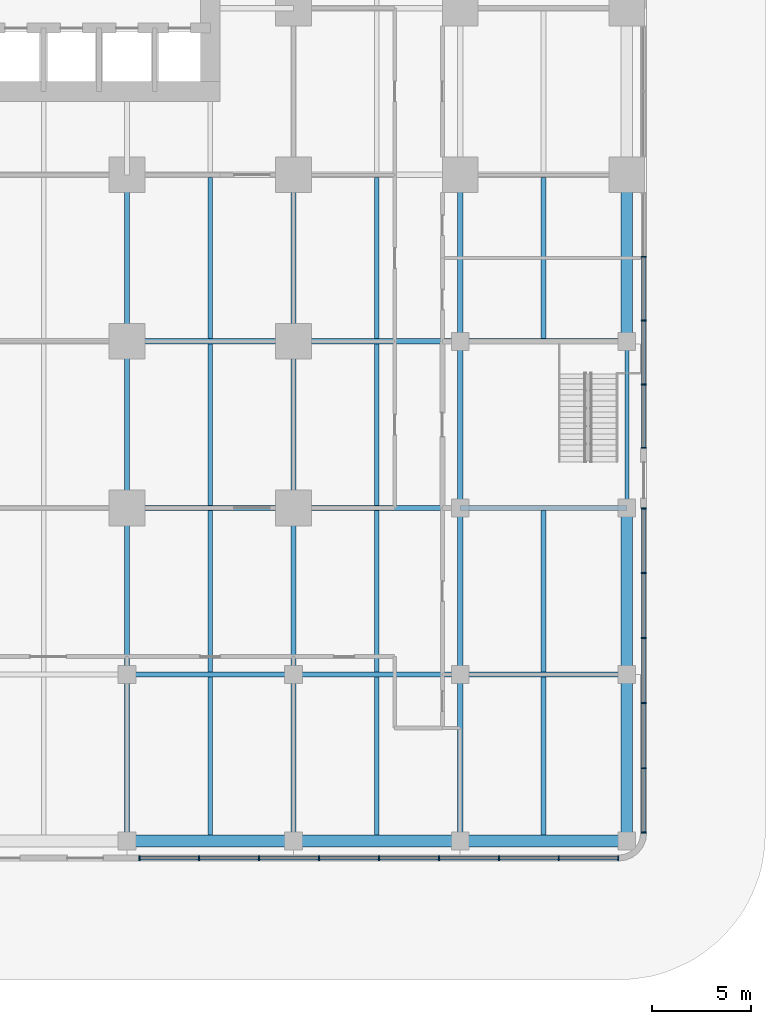
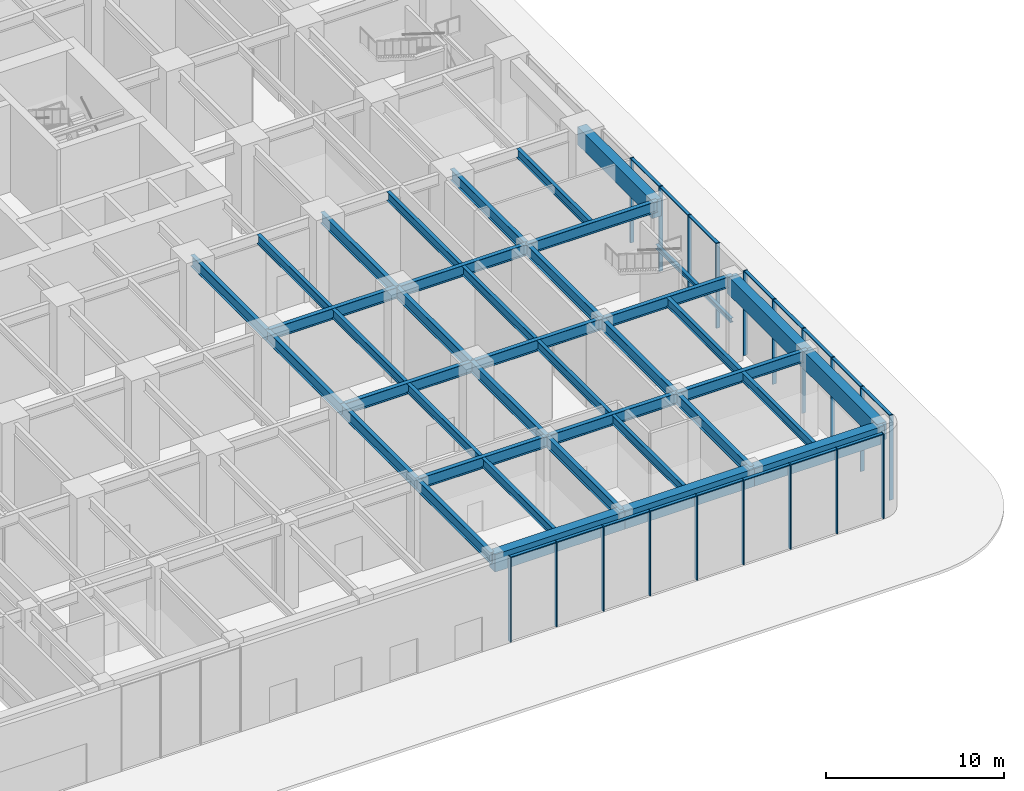
# One storey, part 4 of 21: 39 beams, 35 members, 3 elements without a shape of their own.
"""IFC4 building model written with IfcOpenShell, lengths in metres."""

from ifc_helpers import new_model, si_unit, direction, frame, origin, origin_2d, place, context, subcontext, project, spatial, rectangle, i_section, extrude, material, material_profile, profile_set, type_object, element, aggregate, save


model = new_model("IFC4")

# Units and contexts
model_context = context("Model", 3, precision=1e-05, world=origin(), true_north=direction((0.0, 1.0)))
body_context = subcontext(model_context, "Body", "Model", "MODEL_VIEW")
ifc_project = project(units=[si_unit("LENGTHUNIT", "METRE"), si_unit("AREAUNIT", "SQUARE_METRE"), si_unit("VOLUMEUNIT", "CUBIC_METRE"), si_unit("PLANEANGLEUNIT", "RADIAN"), si_unit("MASSUNIT", "GRAM", prefix="KILO")], contexts=[model_context])

# Site, building, storey
site_placement = place(None, origin())
site = spatial("IfcSite", under=ifc_project, at=site_placement, CompositionType="ELEMENT")
building_placement = place(site_placement, origin())
building = spatial("IfcBuilding", under=site, at=building_placement, Name="Torre Alcanfor", CompositionType="ELEMENT")
storey_placement = place(building_placement, origin())
storey = spatial("IfcBuildingStorey", under=building, at=storey_placement, Name="L00", CompositionType="ELEMENT", Elevation=0.0)

# Curtain wall, members
ifc_material_1 = material(Name="Aluminium and glass", Category="aluminium")
curtain_wall_type = type_object("IfcCurtainWallType", Name="CW-C ground floor storefront glazing", PredefinedType="NOTDEFINED", material=ifc_material_1)
curtain_wall_1_placement = place(storey_placement, origin())
curtain_wall_1 = element("IfcCurtainWall", 1, at=curtain_wall_1_placement, inside=storey, type_object=curtain_wall_type, Name="Curtain wall CW-C L00 E 1", PredefinedType="NOTDEFINED")
ifc_material_2 = material(Name="Extruded aluminium", Category="aluminium")
ifc_material_profile_1 = material_profile(ifc_material_2, rectangle(XDim=0.25, YDim=0.06494140625, at=origin_2d()), Name="CW-C mullion 65x250")
ifc_profile_set_1 = profile_set([ifc_material_profile_1], Name="Extruded aluminium")
member_type_1 = type_object("IfcMemberType", Name="CW-C mullion 65x250", PredefinedType="MULLION", material=ifc_profile_set_1)
member_1_placement = place(storey_placement, frame((59.64990234375, -16.367431640625, 0.0), z_axis=(0.0, 0.0, 1.0), x_axis=(-1.0, 0.0, 0.0)))
member_1 = element("IfcMember", 2, at=member_1_placement, type_object=member_type_1, Name="CW-C mullion 1", PredefinedType="MULLION", context=body_context, shape_type="SweptSolid", body=[
    extrude(rectangle(XDim=0.25, YDim=0.06494140625, at=origin_2d()), origin(), (0.0, 0.0, 1.0), 5.800048828125),
])
member_2_placement = place(storey_placement, frame((59.64990234375, -13.1201171875, 0.0), z_axis=(0.0, 0.0, 1.0), x_axis=(-1.0, 0.0, 0.0)))
member_2 = element("IfcMember", 3, at=member_2_placement, type_object=member_type_1, Name="CW-C mullion 2", PredefinedType="MULLION", context=body_context, shape_type="SweptSolid", body=[
    extrude(rectangle(XDim=0.25, YDim=0.06494140625, at=origin_2d()), origin(), (0.0, 0.0, 1.0), 5.800048828125),
])
member_3_placement = place(storey_placement, frame((59.64990234375, -9.840087890625, 0.0), z_axis=(0.0, 0.0, 1.0), x_axis=(-1.0, 0.0, 0.0)))
member_3 = element("IfcMember", 4, at=member_3_placement, type_object=member_type_1, Name="CW-C mullion 3", PredefinedType="MULLION", context=body_context, shape_type="SweptSolid", body=[
    extrude(rectangle(XDim=0.25, YDim=0.06494140625, at=origin_2d()), origin(), (0.0, 0.0, 1.0), 5.800048828125),
])
member_4_placement = place(storey_placement, frame((59.64990234375, -6.56005859375, 0.0), z_axis=(0.0, 0.0, 1.0), x_axis=(-1.0, 0.0, 0.0)))
member_4 = element("IfcMember", 5, at=member_4_placement, type_object=member_type_1, Name="CW-C mullion 4", PredefinedType="MULLION", context=body_context, shape_type="SweptSolid", body=[
    extrude(rectangle(XDim=0.25, YDim=0.06494140625, at=origin_2d()), origin(), (0.0, 0.0, 1.0), 5.800048828125),
])
member_5_placement = place(storey_placement, frame((59.64990234375, -3.280029296875, 0.0), z_axis=(0.0, 0.0, 1.0), x_axis=(-1.0, 0.0, 0.0)))
member_5 = element("IfcMember", 6, at=member_5_placement, type_object=member_type_1, Name="CW-C mullion 5", PredefinedType="MULLION", context=body_context, shape_type="SweptSolid", body=[
    extrude(rectangle(XDim=0.25, YDim=0.06494140625, at=origin_2d()), origin(), (0.0, 0.0, 1.0), 5.800048828125),
])
member_6_placement = place(storey_placement, frame((59.64990234375, -0.032470703125, 0.0), z_axis=(0.0, 0.0, 1.0), x_axis=(-1.0, 0.0, 0.0)))
member_6 = element("IfcMember", 7, at=member_6_placement, type_object=member_type_1, Name="CW-C mullion 6", PredefinedType="MULLION", context=body_context, shape_type="SweptSolid", body=[
    extrude(rectangle(XDim=0.25, YDim=0.06494140625, at=origin_2d()), origin(), (0.0, 0.0, 1.0), 5.800048828125),
])

curtain_wall_2_placement = place(storey_placement, origin())
curtain_wall_2 = element("IfcCurtainWall", 8, at=curtain_wall_2_placement, inside=storey, type_object=curtain_wall_type, Name="Curtain wall CW-C L00 E 3", PredefinedType="NOTDEFINED")
member_7_placement = place(storey_placement, frame((59.64990234375, 3.032470703125, 0.0), z_axis=(0.0, 0.0, 1.0), x_axis=(-1.0, 0.0, 0.0)))
member_7 = element("IfcMember", 9, at=member_7_placement, type_object=member_type_1, Name="CW-C mullion 1.1", PredefinedType="MULLION", context=body_context, shape_type="SweptSolid", body=[
    extrude(rectangle(XDim=0.25, YDim=0.06494140625, at=origin_2d()), origin(), (0.0, 0.0, 1.0), 5.800048828125),
])
member_8_placement = place(storey_placement, frame((59.64990234375, 6.2236328125, 0.0), z_axis=(0.0, 0.0, 1.0), x_axis=(-1.0, 0.0, 0.0)))
member_8 = element("IfcMember", 10, at=member_8_placement, type_object=member_type_1, Name="CW-C mullion 1.2", PredefinedType="MULLION", context=body_context, shape_type="SweptSolid", body=[
    extrude(rectangle(XDim=0.25, YDim=0.06494140625, at=origin_2d()), origin(), (0.0, 0.0, 1.0), 5.800048828125),
])
member_9_placement = place(storey_placement, frame((59.64990234375, 9.447509765625, 0.0), z_axis=(0.0, 0.0, 1.0), x_axis=(-1.0, 0.0, 0.0)))
member_9 = element("IfcMember", 11, at=member_9_placement, type_object=member_type_1, Name="CW-C mullion 1.3", PredefinedType="MULLION", context=body_context, shape_type="SweptSolid", body=[
    extrude(rectangle(XDim=0.25, YDim=0.06494140625, at=origin_2d()), origin(), (0.0, 0.0, 1.0), 5.800048828125),
])
member_10_placement = place(storey_placement, frame((59.64990234375, 12.671142578125, 0.0), z_axis=(0.0, 0.0, 1.0), x_axis=(-1.0, 0.0, 0.0)))
member_10 = element("IfcMember", 12, at=member_10_placement, type_object=member_type_1, Name="CW-C mullion 1.4", PredefinedType="MULLION", context=body_context, shape_type="SweptSolid", body=[
    extrude(rectangle(XDim=0.25, YDim=0.06494140625, at=origin_2d()), origin(), (0.0, 0.0, 1.0), 5.800048828125),
])

curtain_wall_3_placement = place(storey_placement, origin())
curtain_wall_3 = element("IfcCurtainWall", 13, at=curtain_wall_3_placement, inside=storey, type_object=curtain_wall_type, Name="Curtain wall CW-C L00 S 4", PredefinedType="NOTDEFINED")
member_11_placement = place(storey_placement, frame((34.232421875, -17.64990234375, 0.0), z_axis=(0.0, 0.0, 1.0), x_axis=(0.0, 1.0, 0.0)))
member_11 = element("IfcMember", 14, at=member_11_placement, type_object=member_type_1, Name="CW-C mullion 1", PredefinedType="MULLION", context=body_context, shape_type="SweptSolid", body=[
    extrude(rectangle(XDim=0.25, YDim=0.06494140625, at=origin_2d()), origin(), (0.0, 0.0, 1.0), 5.800048828125),
])
member_12_placement = place(storey_placement, frame((37.22509765625, -17.64990234375, 0.0), z_axis=(0.0, 0.0, 1.0), x_axis=(0.0, 1.0, 0.0)))
member_12 = element("IfcMember", 15, at=member_12_placement, type_object=member_type_1, Name="CW-C mullion 2", PredefinedType="MULLION", context=body_context, shape_type="SweptSolid", body=[
    extrude(rectangle(XDim=0.25, YDim=0.06494140625, at=origin_2d()), origin(), (0.0, 0.0, 1.0), 5.800048828125),
])
member_13_placement = place(storey_placement, frame((40.25, -17.64990234375, 0.0), z_axis=(0.0, 0.0, 1.0), x_axis=(0.0, 1.0, 0.0)))
member_13 = element("IfcMember", 16, at=member_13_placement, type_object=member_type_1, Name="CW-C mullion 3", PredefinedType="MULLION", context=body_context, shape_type="SweptSolid", body=[
    extrude(rectangle(XDim=0.25, YDim=0.06494140625, at=origin_2d()), origin(), (0.0, 0.0, 1.0), 5.800048828125),
])
member_14_placement = place(storey_placement, frame((43.27490234375, -17.64990234375, 0.0), z_axis=(0.0, 0.0, 1.0), x_axis=(0.0, 1.0, 0.0)))
member_14 = element("IfcMember", 17, at=member_14_placement, type_object=member_type_1, Name="CW-C mullion 4", PredefinedType="MULLION", context=body_context, shape_type="SweptSolid", body=[
    extrude(rectangle(XDim=0.25, YDim=0.06494140625, at=origin_2d()), origin(), (0.0, 0.0, 1.0), 5.800048828125),
])
member_15_placement = place(storey_placement, frame((46.300048828125, -17.64990234375, 0.0), z_axis=(0.0, 0.0, 1.0), x_axis=(0.0, 1.0, 0.0)))
member_15 = element("IfcMember", 18, at=member_15_placement, type_object=member_type_1, Name="CW-C mullion 5", PredefinedType="MULLION", context=body_context, shape_type="SweptSolid", body=[
    extrude(rectangle(XDim=0.25, YDim=0.06494140625, at=origin_2d()), origin(), (0.0, 0.0, 1.0), 5.800048828125),
])
member_16_placement = place(storey_placement, frame((49.324951171875, -17.64990234375, 0.0), z_axis=(0.0, 0.0, 1.0), x_axis=(0.0, 1.0, 0.0)))
member_16 = element("IfcMember", 19, at=member_16_placement, type_object=member_type_1, Name="CW-C mullion 6", PredefinedType="MULLION", context=body_context, shape_type="SweptSolid", body=[
    extrude(rectangle(XDim=0.25, YDim=0.06494140625, at=origin_2d()), origin(), (0.0, 0.0, 1.0), 5.800048828125),
])
member_17_placement = place(storey_placement, frame((52.35009765625, -17.64990234375, 0.0), z_axis=(0.0, 0.0, 1.0), x_axis=(0.0, 1.0, 0.0)))
member_17 = element("IfcMember", 20, at=member_17_placement, type_object=member_type_1, Name="CW-C mullion 7", PredefinedType="MULLION", context=body_context, shape_type="SweptSolid", body=[
    extrude(rectangle(XDim=0.25, YDim=0.06494140625, at=origin_2d()), origin(), (0.0, 0.0, 1.0), 5.800048828125),
])
member_18_placement = place(storey_placement, frame((55.375, -17.64990234375, 0.0), z_axis=(0.0, 0.0, 1.0), x_axis=(0.0, 1.0, 0.0)))
member_18 = element("IfcMember", 21, at=member_18_placement, type_object=member_type_1, Name="CW-C mullion 8", PredefinedType="MULLION", context=body_context, shape_type="SweptSolid", body=[
    extrude(rectangle(XDim=0.25, YDim=0.06494140625, at=origin_2d()), origin(), (0.0, 0.0, 1.0), 5.800048828125),
])
member_19_placement = place(storey_placement, frame((58.367431640625, -17.64990234375, 0.0), z_axis=(0.0, 0.0, 1.0), x_axis=(0.0, 1.0, 0.0)))
member_19 = element("IfcMember", 22, at=member_19_placement, type_object=member_type_1, Name="CW-C mullion 9", PredefinedType="MULLION", context=body_context, shape_type="SweptSolid", body=[
    extrude(rectangle(XDim=0.25, YDim=0.06494140625, at=origin_2d()), origin(), (0.0, 0.0, 1.0), 5.800048828125),
])

# Member
ifc_material_3 = material(Name="Extruded aluminium", Category="aluminium")
ifc_material_profile_2 = material_profile(ifc_material_3, rectangle(XDim=0.199951171875, YDim=0.06494140625, at=origin_2d()), Name="CW-C transom 200x65")
ifc_profile_set_2 = profile_set([ifc_material_profile_2], Name="Extruded aluminium")
member_type_2 = type_object("IfcMemberType", Name="CW-C transom 65x200", PredefinedType="USERDEFINED", material=ifc_profile_set_2)
member_20_placement = place(storey_placement, frame((59.64990234375, -16.3349609375, 5.767578125), z_axis=(0.0, 1.0, 0.0), x_axis=(-1.0, 0.0, 0.0)))
member_20 = element("IfcMember", 23, at=member_20_placement, type_object=member_type_2, Name="CW-C transom 1.2", ObjectType="TRANSOM", PredefinedType="USERDEFINED", context=body_context, shape_type="SweptSolid", body=[
    extrude(rectangle(XDim=0.199951171875, YDim=0.06494140625, at=origin_2d()), origin(), (0.0, 0.0, 1.0), 3.182373046875),
])

member_21_placement = place(storey_placement, frame((59.64990234375, -13.08740234375, 5.767578125), z_axis=(0.0, 1.0, 0.0), x_axis=(-1.0, 0.0, 0.0)))
member_21 = element("IfcMember", 24, at=member_21_placement, type_object=member_type_2, Name="CW-C transom 2.2", ObjectType="TRANSOM", PredefinedType="USERDEFINED", context=body_context, shape_type="SweptSolid", body=[
    extrude(rectangle(XDim=0.199951171875, YDim=0.06494140625, at=origin_2d()), origin(), (0.0, 0.0, 1.0), 3.21484375),
])

member_22_placement = place(storey_placement, frame((59.64990234375, -9.8076171875, 5.767578125), z_axis=(0.0, 1.0, 0.0), x_axis=(-1.0, 0.0, 0.0)))
member_22 = element("IfcMember", 25, at=member_22_placement, type_object=member_type_2, Name="CW-C transom 3.2", ObjectType="TRANSOM", PredefinedType="USERDEFINED", context=body_context, shape_type="SweptSolid", body=[
    extrude(rectangle(XDim=0.199951171875, YDim=0.06494140625, at=origin_2d()), origin(), (0.0, 0.0, 1.0), 3.215087890625),
])

member_23_placement = place(storey_placement, frame((59.64990234375, -6.527587890625, 5.767578125), z_axis=(0.0, 1.0, 0.0), x_axis=(-1.0, 0.0, 0.0)))
member_23 = element("IfcMember", 26, at=member_23_placement, type_object=member_type_2, Name="CW-C transom 4.2", ObjectType="TRANSOM", PredefinedType="USERDEFINED", context=body_context, shape_type="SweptSolid", body=[
    extrude(rectangle(XDim=0.199951171875, YDim=0.06494140625, at=origin_2d()), origin(), (0.0, 0.0, 1.0), 3.215087890625),
])

member_24_placement = place(storey_placement, frame((59.64990234375, -3.24755859375, 5.767578125), z_axis=(0.0, 1.0, 0.0), x_axis=(-1.0, 0.0, 0.0)))
member_24 = element("IfcMember", 27, at=member_24_placement, type_object=member_type_2, Name="CW-C transom 5.2", ObjectType="TRANSOM", PredefinedType="USERDEFINED", context=body_context, shape_type="SweptSolid", body=[
    extrude(rectangle(XDim=0.199951171875, YDim=0.06494140625, at=origin_2d()), origin(), (0.0, 0.0, 1.0), 3.1826171875),
])

aggregate(curtain_wall_1, [member_1, member_2, member_3, member_4, member_5, member_6, member_20, member_21, member_22, member_23, member_24])

member_25_placement = place(storey_placement, frame((59.64990234375, 3.06494140625, 5.767578125), z_axis=(0.0, 1.0, 0.0), x_axis=(-1.0, 0.0, 0.0)))
member_25 = element("IfcMember", 28, at=member_25_placement, type_object=member_type_2, Name="CW-C transom 1.1.2", ObjectType="TRANSOM", PredefinedType="USERDEFINED", context=body_context, shape_type="SweptSolid", body=[
    extrude(rectangle(XDim=0.199951171875, YDim=0.06494140625, at=origin_2d()), origin(), (0.0, 0.0, 1.0), 3.126220703125),
])

member_26_placement = place(storey_placement, frame((59.64990234375, 6.25634765625, 5.767578125), z_axis=(0.0, 1.0, 0.0), x_axis=(-1.0, 0.0, 0.0)))
member_26 = element("IfcMember", 29, at=member_26_placement, type_object=member_type_2, Name="CW-C transom 1.2.2", ObjectType="TRANSOM", PredefinedType="USERDEFINED", context=body_context, shape_type="SweptSolid", body=[
    extrude(rectangle(XDim=0.199951171875, YDim=0.06494140625, at=origin_2d()), origin(), (0.0, 0.0, 1.0), 3.15869140625),
])

member_27_placement = place(storey_placement, frame((59.64990234375, 9.47998046875, 5.767578125), z_axis=(0.0, 1.0, 0.0), x_axis=(-1.0, 0.0, 0.0)))
member_27 = element("IfcMember", 30, at=member_27_placement, type_object=member_type_2, Name="CW-C transom 1.3.2", ObjectType="TRANSOM", PredefinedType="USERDEFINED", context=body_context, shape_type="SweptSolid", body=[
    extrude(rectangle(XDim=0.199951171875, YDim=0.06494140625, at=origin_2d()), origin(), (0.0, 0.0, 1.0), 3.15869140625),
])

aggregate(curtain_wall_2, [member_7, member_8, member_9, member_10, member_25, member_26, member_27])

member_28_placement = place(storey_placement, frame((34.264892578125, -17.64990234375, 5.767578125), z_axis=(1.0, 0.0, 0.0), x_axis=(0.0, 1.0, 0.0)))
member_28 = element("IfcMember", 31, at=member_28_placement, type_object=member_type_2, Name="CW-C transom 1.2", ObjectType="TRANSOM", PredefinedType="USERDEFINED", context=body_context, shape_type="SweptSolid", body=[
    extrude(rectangle(XDim=0.199951171875, YDim=0.06494140625, at=origin_2d()), origin(), (0.0, 0.0, 1.0), 2.927490234375),
])

member_29_placement = place(storey_placement, frame((37.257568359375, -17.64990234375, 5.767578125), z_axis=(1.0, 0.0, 0.0), x_axis=(0.0, 1.0, 0.0)))
member_29 = element("IfcMember", 32, at=member_29_placement, type_object=member_type_2, Name="CW-C transom 2.2", ObjectType="TRANSOM", PredefinedType="USERDEFINED", context=body_context, shape_type="SweptSolid", body=[
    extrude(rectangle(XDim=0.199951171875, YDim=0.06494140625, at=origin_2d()), origin(), (0.0, 0.0, 1.0), 2.9599609375),
])

member_30_placement = place(storey_placement, frame((40.282470703125, -17.64990234375, 5.767578125), z_axis=(1.0, 0.0, 0.0), x_axis=(0.0, 1.0, 0.0)))
member_30 = element("IfcMember", 33, at=member_30_placement, type_object=member_type_2, Name="CW-C transom 3.2", ObjectType="TRANSOM", PredefinedType="USERDEFINED", context=body_context, shape_type="SweptSolid", body=[
    extrude(rectangle(XDim=0.199951171875, YDim=0.06494140625, at=origin_2d()), origin(), (0.0, 0.0, 1.0), 2.9599609375),
])

member_31_placement = place(storey_placement, frame((43.3076171875, -17.64990234375, 5.767578125), z_axis=(1.0, 0.0, 0.0), x_axis=(0.0, 1.0, 0.0)))
member_31 = element("IfcMember", 34, at=member_31_placement, type_object=member_type_2, Name="CW-C transom 4.2", ObjectType="TRANSOM", PredefinedType="USERDEFINED", context=body_context, shape_type="SweptSolid", body=[
    extrude(rectangle(XDim=0.199951171875, YDim=0.06494140625, at=origin_2d()), origin(), (0.0, 0.0, 1.0), 2.9599609375),
])

member_32_placement = place(storey_placement, frame((46.33251953125, -17.64990234375, 5.767578125), z_axis=(1.0, 0.0, 0.0), x_axis=(0.0, 1.0, 0.0)))
member_32 = element("IfcMember", 35, at=member_32_placement, type_object=member_type_2, Name="CW-C transom 5.2", ObjectType="TRANSOM", PredefinedType="USERDEFINED", context=body_context, shape_type="SweptSolid", body=[
    extrude(rectangle(XDim=0.199951171875, YDim=0.06494140625, at=origin_2d()), origin(), (0.0, 0.0, 1.0), 2.9599609375),
])

member_33_placement = place(storey_placement, frame((49.357421875, -17.64990234375, 5.767578125), z_axis=(1.0, 0.0, 0.0), x_axis=(0.0, 1.0, 0.0)))
member_33 = element("IfcMember", 36, at=member_33_placement, type_object=member_type_2, Name="CW-C transom 6.2", ObjectType="TRANSOM", PredefinedType="USERDEFINED", context=body_context, shape_type="SweptSolid", body=[
    extrude(rectangle(XDim=0.199951171875, YDim=0.06494140625, at=origin_2d()), origin(), (0.0, 0.0, 1.0), 2.9599609375),
])

member_34_placement = place(storey_placement, frame((52.382568359375, -17.64990234375, 5.767578125), z_axis=(1.0, 0.0, 0.0), x_axis=(0.0, 1.0, 0.0)))
member_34 = element("IfcMember", 37, at=member_34_placement, type_object=member_type_2, Name="CW-C transom 7.2", ObjectType="TRANSOM", PredefinedType="USERDEFINED", context=body_context, shape_type="SweptSolid", body=[
    extrude(rectangle(XDim=0.199951171875, YDim=0.06494140625, at=origin_2d()), origin(), (0.0, 0.0, 1.0), 2.9599609375),
])

member_35_placement = place(storey_placement, frame((55.407470703125, -17.64990234375, 5.767578125), z_axis=(1.0, 0.0, 0.0), x_axis=(0.0, 1.0, 0.0)))
member_35 = element("IfcMember", 38, at=member_35_placement, type_object=member_type_2, Name="CW-C transom 8.2", ObjectType="TRANSOM", PredefinedType="USERDEFINED", context=body_context, shape_type="SweptSolid", body=[
    extrude(rectangle(XDim=0.199951171875, YDim=0.06494140625, at=origin_2d()), origin(), (0.0, 0.0, 1.0), 2.927490234375),
])

aggregate(curtain_wall_3, [member_11, member_12, member_13, member_14, member_15, member_16, member_17, member_18, member_19, member_28, member_29, member_30, member_31, member_32, member_33, member_34, member_35])

# Beams
ifc_material_4 = material(Name="Steel ASTM A992 Grade 50", Category="steel")
ifc_material_profile_3 = material_profile(ifc_material_4, i_section(OverallWidth=0.2666015625, OverallDepth=0.7568359375, WebThickness=0.013916015625, FlangeThickness=0.019287109375, at=origin_2d()), Name="W30x108")
ifc_profile_set_3 = profile_set([ifc_material_profile_3], Name="Steel ASTM A992 Grade 50")
beam_type_1 = type_object("IfcBeamType", Name="Girder W30x108", PredefinedType="BEAM", material=ifc_profile_set_3)
for number, where, z_axis, x_axis, name in (
    (39, (33.60009765625, -8.39990234375, 5.421630859375), (1.0, 0.0, 0.0), (0.0, 1.0, 0.0), "Beam 5B-6B under L01"),
    (40, (42.0, -8.39990234375, 5.421630859375), (1.0, 0.0, 0.0), (0.0, 1.0, 0.0), "Beam 6B-7B under L01"),
):
    element("IfcBeam", number, at=place(storey_placement, frame(where, z_axis=z_axis, x_axis=x_axis)), inside=storey, type_object=beam_type_1, Name=name, PredefinedType="BEAM", context=body_context, shape_type="SweptSolid", body=[
        extrude(i_section(OverallWidth=0.2666015625, OverallDepth=0.7568359375, WebThickness=0.013916015625, FlangeThickness=0.019287109375, at=origin_2d()), origin(), (0.0, 0.0, 1.0), 8.39990234375),
    ])
beam_1_placement = place(storey_placement, frame((50.39990234375, -8.39990234375, 5.421630859375), z_axis=(1.0, 0.0, 0.0), x_axis=(0.0, 1.0, 0.0)))
element("IfcBeam", 41, at=beam_1_placement, inside=storey, type_object=beam_type_1, Name="Beam 7B-8B under L01", PredefinedType="BEAM", context=body_context, shape_type="SweptSolid", body=[
    extrude(i_section(OverallWidth=0.2666015625, OverallDepth=0.7568359375, WebThickness=0.013916015625, FlangeThickness=0.019287109375, at=origin_2d()), origin(), (0.0, 0.0, 1.0), 8.400146484375),
])
for number, where, z_axis, x_axis, name in (
    (42, (33.60009765625, 0.0, 5.421630859375), (1.0, 0.0, 0.0), (0.0, 1.0, 0.0), "Beam 5C-6C under L01"),
    (43, (42.0, 0.0, 5.421630859375), (1.0, 0.0, 0.0), (0.0, 1.0, 0.0), "Beam 6C-7C under L01"),
):
    element("IfcBeam", number, at=place(storey_placement, frame(where, z_axis=z_axis, x_axis=x_axis)), inside=storey, type_object=beam_type_1, Name=name, PredefinedType="BEAM", context=body_context, shape_type="SweptSolid", body=[
        extrude(i_section(OverallWidth=0.2666015625, OverallDepth=0.7568359375, WebThickness=0.013916015625, FlangeThickness=0.019287109375, at=origin_2d()), origin(), (0.0, 0.0, 1.0), 8.39990234375),
    ])
beam_2_placement = place(storey_placement, frame((50.39990234375, 0.0, 5.421630859375), z_axis=(1.0, 0.0, 0.0), x_axis=(0.0, 1.0, 0.0)))
element("IfcBeam", 44, at=beam_2_placement, inside=storey, type_object=beam_type_1, Name="Beam 7C-8C under L01", PredefinedType="BEAM", context=body_context, shape_type="SweptSolid", body=[
    extrude(i_section(OverallWidth=0.2666015625, OverallDepth=0.7568359375, WebThickness=0.013916015625, FlangeThickness=0.019287109375, at=origin_2d()), origin(), (0.0, 0.0, 1.0), 8.400146484375),
])
for number, where, z_axis, x_axis, name in (
    (45, (33.60009765625, 8.39990234375, 5.421630859375), (1.0, 0.0, 0.0), (0.0, 1.0, 0.0), "Beam 5D-6D under L01"),
    (46, (42.0, 8.39990234375, 5.421630859375), (1.0, 0.0, 0.0), (0.0, 1.0, 0.0), "Beam 6D-7D under L01"),
):
    element("IfcBeam", number, at=place(storey_placement, frame(where, z_axis=z_axis, x_axis=x_axis)), inside=storey, type_object=beam_type_1, Name=name, PredefinedType="BEAM", context=body_context, shape_type="SweptSolid", body=[
        extrude(i_section(OverallWidth=0.2666015625, OverallDepth=0.7568359375, WebThickness=0.013916015625, FlangeThickness=0.019287109375, at=origin_2d()), origin(), (0.0, 0.0, 1.0), 8.39990234375),
    ])
for number, where, z_axis, x_axis, name in (
    (47, (50.39990234375, 8.39990234375, 5.421630859375), (1.0, 0.0, 0.0), (0.0, 1.0, 0.0), "Beam 7D-8D under L01"),
    (48, (33.60009765625, -16.800048828125, 5.421630859375), (0.0, 1.0, 0.0), (-1.0, 0.0, 0.0), "Beam 5A-5B under L01"),
):
    element("IfcBeam", number, at=place(storey_placement, frame(where, z_axis=z_axis, x_axis=x_axis)), inside=storey, type_object=beam_type_1, Name=name, PredefinedType="BEAM", context=body_context, shape_type="SweptSolid", body=[
        extrude(i_section(OverallWidth=0.2666015625, OverallDepth=0.7568359375, WebThickness=0.013916015625, FlangeThickness=0.019287109375, at=origin_2d()), origin(), (0.0, 0.0, 1.0), 8.400146484375),
    ])
for number, where, z_axis, x_axis, name in (
    (49, (33.60009765625, -8.39990234375, 5.421630859375), (0.0, 1.0, 0.0), (-1.0, 0.0, 0.0), "Beam 5B-5C under L01"),
    (50, (33.60009765625, 0.0, 5.421630859375), (0.0, 1.0, 0.0), (-1.0, 0.0, 0.0), "Beam 5C-5D under L01"),
):
    element("IfcBeam", number, at=place(storey_placement, frame(where, z_axis=z_axis, x_axis=x_axis)), inside=storey, type_object=beam_type_1, Name=name, PredefinedType="BEAM", context=body_context, shape_type="SweptSolid", body=[
        extrude(i_section(OverallWidth=0.2666015625, OverallDepth=0.7568359375, WebThickness=0.013916015625, FlangeThickness=0.019287109375, at=origin_2d()), origin(), (0.0, 0.0, 1.0), 8.39990234375),
    ])
for number, where, z_axis, x_axis, name in (
    (51, (33.60009765625, 8.39990234375, 5.421630859375), (0.0, 1.0, 0.0), (-1.0, 0.0, 0.0), "Beam 5D-5E under L01"),
    (52, (42.0, -16.800048828125, 5.421630859375), (0.0, 1.0, 0.0), (-1.0, 0.0, 0.0), "Beam 6A-6B under L01"),
):
    element("IfcBeam", number, at=place(storey_placement, frame(where, z_axis=z_axis, x_axis=x_axis)), inside=storey, type_object=beam_type_1, Name=name, PredefinedType="BEAM", context=body_context, shape_type="SweptSolid", body=[
        extrude(i_section(OverallWidth=0.2666015625, OverallDepth=0.7568359375, WebThickness=0.013916015625, FlangeThickness=0.019287109375, at=origin_2d()), origin(), (0.0, 0.0, 1.0), 8.400146484375),
    ])
for number, where, z_axis, x_axis, name in (
    (53, (42.0, -8.39990234375, 5.421630859375), (0.0, 1.0, 0.0), (-1.0, 0.0, 0.0), "Beam 6B-6C under L01"),
    (54, (42.0, 0.0, 5.421630859375), (0.0, 1.0, 0.0), (-1.0, 0.0, 0.0), "Beam 6C-6D under L01"),
):
    element("IfcBeam", number, at=place(storey_placement, frame(where, z_axis=z_axis, x_axis=x_axis)), inside=storey, type_object=beam_type_1, Name=name, PredefinedType="BEAM", context=body_context, shape_type="SweptSolid", body=[
        extrude(i_section(OverallWidth=0.2666015625, OverallDepth=0.7568359375, WebThickness=0.013916015625, FlangeThickness=0.019287109375, at=origin_2d()), origin(), (0.0, 0.0, 1.0), 8.39990234375),
    ])
for number, where, z_axis, x_axis, name in (
    (55, (42.0, 8.39990234375, 5.421630859375), (0.0, 1.0, 0.0), (-1.0, 0.0, 0.0), "Beam 6D-6E under L01"),
    (56, (50.39990234375, -16.800048828125, 5.421630859375), (0.0, 1.0, 0.0), (-1.0, 0.0, 0.0), "Beam 7A-7B under L01"),
):
    element("IfcBeam", number, at=place(storey_placement, frame(where, z_axis=z_axis, x_axis=x_axis)), inside=storey, type_object=beam_type_1, Name=name, PredefinedType="BEAM", context=body_context, shape_type="SweptSolid", body=[
        extrude(i_section(OverallWidth=0.2666015625, OverallDepth=0.7568359375, WebThickness=0.013916015625, FlangeThickness=0.019287109375, at=origin_2d()), origin(), (0.0, 0.0, 1.0), 8.400146484375),
    ])
for number, where, z_axis, x_axis, name in (
    (57, (50.39990234375, -8.39990234375, 5.421630859375), (0.0, 1.0, 0.0), (-1.0, 0.0, 0.0), "Beam 7B-7C under L01"),
    (58, (50.39990234375, 0.0, 5.421630859375), (0.0, 1.0, 0.0), (-1.0, 0.0, 0.0), "Beam 7C-7D under L01"),
):
    element("IfcBeam", number, at=place(storey_placement, frame(where, z_axis=z_axis, x_axis=x_axis)), inside=storey, type_object=beam_type_1, Name=name, PredefinedType="BEAM", context=body_context, shape_type="SweptSolid", body=[
        extrude(i_section(OverallWidth=0.2666015625, OverallDepth=0.7568359375, WebThickness=0.013916015625, FlangeThickness=0.019287109375, at=origin_2d()), origin(), (0.0, 0.0, 1.0), 8.39990234375),
    ])
beam_3_placement = place(storey_placement, frame((50.39990234375, 8.39990234375, 5.421630859375), z_axis=(0.0, 1.0, 0.0), x_axis=(-1.0, 0.0, 0.0)))
element("IfcBeam", 59, at=beam_3_placement, inside=storey, type_object=beam_type_1, Name="Beam 7D-7E under L01", PredefinedType="BEAM", context=body_context, shape_type="SweptSolid", body=[
    extrude(i_section(OverallWidth=0.2666015625, OverallDepth=0.7568359375, WebThickness=0.013916015625, FlangeThickness=0.019287109375, at=origin_2d()), origin(), (0.0, 0.0, 1.0), 8.400146484375),
])
ifc_material_5 = material(Name="Concrete f'c 70 MPa", Category="concrete")
ifc_material_profile_4 = material_profile(ifc_material_5, rectangle(XDim=0.60009765625, YDim=1.199951171875, at=origin_2d()), Name="600x1200")
ifc_profile_set_4 = profile_set([ifc_material_profile_4], Name="Concrete f'c 70 MPa")
beam_type_2 = type_object("IfcBeamType", Name="RC perimeter beam 600x1200", PredefinedType="BEAM", material=ifc_profile_set_4)
for number, where, z_axis, x_axis, name in (
    (60, (33.60009765625, -16.800048828125, 5.199951171875), (1.0, 0.0, 0.0), (0.0, 1.0, 0.0), "Beam 5A-6A under L01"),
    (61, (42.0, -16.800048828125, 5.199951171875), (1.0, 0.0, 0.0), (0.0, 1.0, 0.0), "Beam 6A-7A under L01"),
):
    element("IfcBeam", number, at=place(storey_placement, frame(where, z_axis=z_axis, x_axis=x_axis)), inside=storey, type_object=beam_type_2, Name=name, PredefinedType="BEAM", context=body_context, shape_type="SweptSolid", body=[
        extrude(rectangle(XDim=0.60009765625, YDim=1.199951171875, at=origin_2d()), origin(), (0.0, 0.0, 1.0), 8.39990234375),
    ])
for number, where, z_axis, x_axis, name in (
    (62, (50.39990234375, -16.800048828125, 5.199951171875), (1.0, 0.0, 0.0), (0.0, 1.0, 0.0), "Beam 7A-8A under L01"),
    (63, (58.800048828125, -16.800048828125, 5.199951171875), (0.0, 1.0, 0.0), (-1.0, 0.0, 0.0), "Beam 8A-8B under L01"),
):
    element("IfcBeam", number, at=place(storey_placement, frame(where, z_axis=z_axis, x_axis=x_axis)), inside=storey, type_object=beam_type_2, Name=name, PredefinedType="BEAM", context=body_context, shape_type="SweptSolid", body=[
        extrude(rectangle(XDim=0.60009765625, YDim=1.199951171875, at=origin_2d()), origin(), (0.0, 0.0, 1.0), 8.400146484375),
    ])
beam_4_placement = place(storey_placement, frame((58.800048828125, -8.39990234375, 5.199951171875), z_axis=(0.0, 1.0, 0.0), x_axis=(-1.0, 0.0, 0.0)))
element("IfcBeam", 64, at=beam_4_placement, inside=storey, type_object=beam_type_2, Name="Beam 8B-8C under L01", PredefinedType="BEAM", context=body_context, shape_type="SweptSolid", body=[
    extrude(rectangle(XDim=0.60009765625, YDim=1.199951171875, at=origin_2d()), origin(), (0.0, 0.0, 1.0), 8.39990234375),
])
beam_5_placement = place(storey_placement, frame((58.800048828125, 8.39990234375, 5.199951171875), z_axis=(0.0, 1.0, 0.0), x_axis=(-1.0, 0.0, 0.0)))
element("IfcBeam", 65, at=beam_5_placement, inside=storey, type_object=beam_type_2, Name="Beam 8D-8E under L01", PredefinedType="BEAM", context=body_context, shape_type="SweptSolid", body=[
    extrude(rectangle(XDim=0.60009765625, YDim=1.199951171875, at=origin_2d()), origin(), (0.0, 0.0, 1.0), 8.400146484375),
])
ifc_material_6 = material(Name="Steel ASTM A992 Grade 50", Category="steel")
ifc_material_profile_5 = material_profile(ifc_material_6, i_section(OverallWidth=0.203369140625, OverallDepth=0.30224609375, WebThickness=0.007568359375, FlangeThickness=0.01318359375, at=origin_2d()), Name="W12x40")
ifc_profile_set_5 = profile_set([ifc_material_profile_5], Name="Steel ASTM A992 Grade 50")
beam_type_3 = type_object("IfcBeamType", Name="School stair landing beam W12x40", PredefinedType="BEAM", material=ifc_profile_set_5)
beam_6_placement = place(storey_placement, frame((58.800048828125, 0.0, 2.64892578125), z_axis=(0.0, 1.0, 0.0), x_axis=(-1.0, 0.0, 0.0)))
element("IfcBeam", 66, at=beam_6_placement, inside=storey, type_object=beam_type_3, Name="Landing beam SS3 L00", PredefinedType="BEAM", context=body_context, shape_type="SweptSolid", body=[
    extrude(i_section(OverallWidth=0.203369140625, OverallDepth=0.30224609375, WebThickness=0.007568359375, FlangeThickness=0.01318359375, at=origin_2d()), origin(), (0.0, 0.0, 1.0), 8.39990234375),
])
ifc_material_7 = material(Name="Steel ASTM A992 Grade 50", Category="steel")
ifc_material_profile_6 = material_profile(ifc_material_7, i_section(OverallWidth=0.22900390625, OverallDepth=0.612060546875, WebThickness=0.011962890625, FlangeThickness=0.01953125, at=origin_2d()), Name="W24x84")
ifc_profile_set_6 = profile_set([ifc_material_profile_6], Name="Steel ASTM A992 Grade 50")
beam_type_4 = type_object("IfcBeamType", Name="Secondary beam W24x84", PredefinedType="BEAM", material=ifc_profile_set_6)
beam_7_placement = place(storey_placement, frame((37.800048828125, -16.5, 5.493896484375), z_axis=(0.0, 1.0, 0.0), x_axis=(-1.0, 0.0, 0.0)))
element("IfcBeam", 67, at=beam_7_placement, inside=storey, type_object=beam_type_4, Name="Beam 37_8A-37_8B under L01", PredefinedType="BEAM", context=body_context, shape_type="SweptSolid", body=[
    extrude(i_section(OverallWidth=0.22900390625, OverallDepth=0.612060546875, WebThickness=0.011962890625, FlangeThickness=0.01953125, at=origin_2d()), origin(), (0.0, 0.0, 1.0), 7.967041015625),
])
for number, where, z_axis, x_axis, name in (
    (68, (37.800048828125, -8.26708984375, 5.493896484375), (0.0, 1.0, 0.0), (-1.0, 0.0, 0.0), "Beam 37_8B-37_8C under L01"),
    (69, (37.800048828125, 0.133056640625, 5.493896484375), (0.0, 1.0, 0.0), (-1.0, 0.0, 0.0), "Beam 37_8C-37_8D under L01"),
    (70, (37.800048828125, 8.532958984375, 5.493896484375), (0.0, 1.0, 0.0), (-1.0, 0.0, 0.0), "Beam 37_8D-37_8E under L01"),
):
    element("IfcBeam", number, at=place(storey_placement, frame(where, z_axis=z_axis, x_axis=x_axis)), inside=storey, type_object=beam_type_4, Name=name, PredefinedType="BEAM", context=body_context, shape_type="SweptSolid", body=[
        extrude(i_section(OverallWidth=0.22900390625, OverallDepth=0.612060546875, WebThickness=0.011962890625, FlangeThickness=0.01953125, at=origin_2d()), origin(), (0.0, 0.0, 1.0), 8.134033203125),
    ])
beam_8_placement = place(storey_placement, frame((46.199951171875, -16.5, 5.493896484375), z_axis=(0.0, 1.0, 0.0), x_axis=(-1.0, 0.0, 0.0)))
element("IfcBeam", 71, at=beam_8_placement, inside=storey, type_object=beam_type_4, Name="Beam 46_2A-46_2B under L01", PredefinedType="BEAM", context=body_context, shape_type="SweptSolid", body=[
    extrude(i_section(OverallWidth=0.22900390625, OverallDepth=0.612060546875, WebThickness=0.011962890625, FlangeThickness=0.01953125, at=origin_2d()), origin(), (0.0, 0.0, 1.0), 7.967041015625),
])
for number, where, z_axis, x_axis, name in (
    (72, (46.199951171875, -8.26708984375, 5.493896484375), (0.0, 1.0, 0.0), (-1.0, 0.0, 0.0), "Beam 46_2B-46_2C under L01"),
    (73, (46.199951171875, 0.133056640625, 5.493896484375), (0.0, 1.0, 0.0), (-1.0, 0.0, 0.0), "Beam 46_2C-46_2D under L01"),
    (74, (46.199951171875, 8.532958984375, 5.493896484375), (0.0, 1.0, 0.0), (-1.0, 0.0, 0.0), "Beam 46_2D-46_2E under L01"),
):
    element("IfcBeam", number, at=place(storey_placement, frame(where, z_axis=z_axis, x_axis=x_axis)), inside=storey, type_object=beam_type_4, Name=name, PredefinedType="BEAM", context=body_context, shape_type="SweptSolid", body=[
        extrude(i_section(OverallWidth=0.22900390625, OverallDepth=0.612060546875, WebThickness=0.011962890625, FlangeThickness=0.01953125, at=origin_2d()), origin(), (0.0, 0.0, 1.0), 8.134033203125),
    ])
beam_9_placement = place(storey_placement, frame((54.60009765625, -16.5, 5.493896484375), z_axis=(0.0, 1.0, 0.0), x_axis=(-1.0, 0.0, 0.0)))
element("IfcBeam", 75, at=beam_9_placement, inside=storey, type_object=beam_type_4, Name="Beam 54_6A-54_6B under L01", PredefinedType="BEAM", context=body_context, shape_type="SweptSolid", body=[
    extrude(i_section(OverallWidth=0.22900390625, OverallDepth=0.612060546875, WebThickness=0.011962890625, FlangeThickness=0.01953125, at=origin_2d()), origin(), (0.0, 0.0, 1.0), 7.967041015625),
])
for number, where, z_axis, x_axis, name in (
    (76, (54.60009765625, -8.26708984375, 5.493896484375), (0.0, 1.0, 0.0), (-1.0, 0.0, 0.0), "Beam 54_6B-54_6C under L01"),
    (77, (54.60009765625, 8.532958984375, 5.493896484375), (0.0, 1.0, 0.0), (-1.0, 0.0, 0.0), "Beam 54_6D-54_6E under L01"),
):
    element("IfcBeam", number, at=place(storey_placement, frame(where, z_axis=z_axis, x_axis=x_axis)), inside=storey, type_object=beam_type_4, Name=name, PredefinedType="BEAM", context=body_context, shape_type="SweptSolid", body=[
        extrude(i_section(OverallWidth=0.22900390625, OverallDepth=0.612060546875, WebThickness=0.011962890625, FlangeThickness=0.01953125, at=origin_2d()), origin(), (0.0, 0.0, 1.0), 8.134033203125),
    ])

save(model, "model.ifc")
